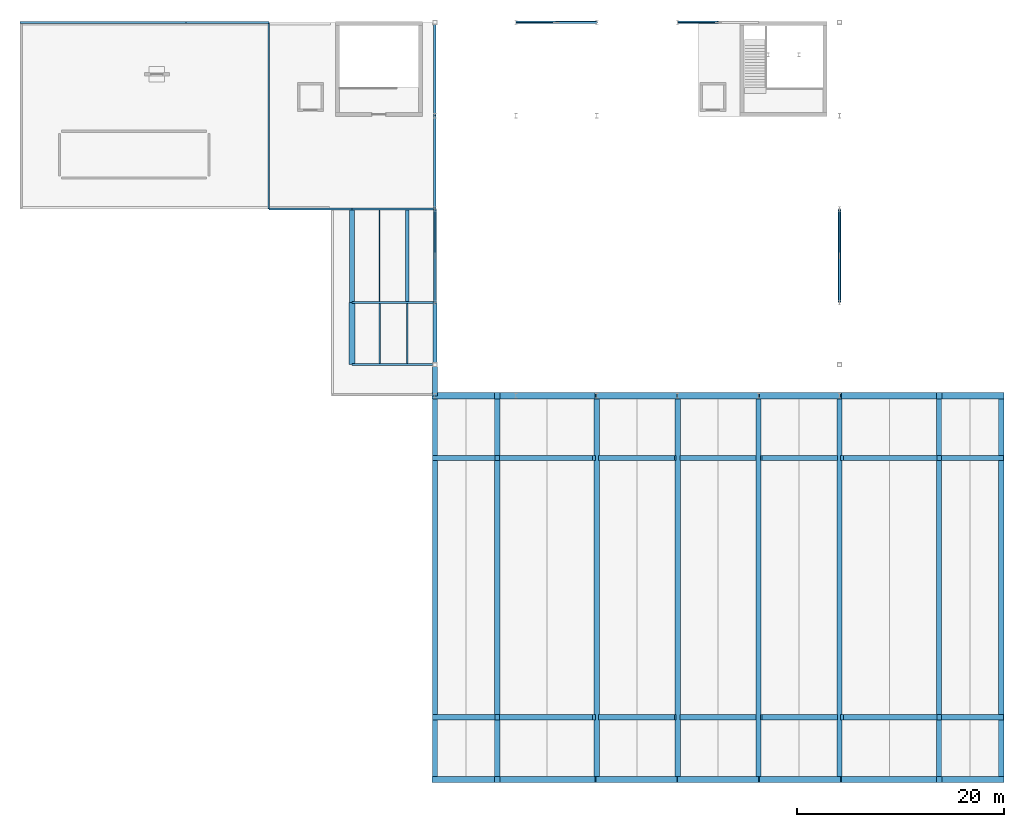
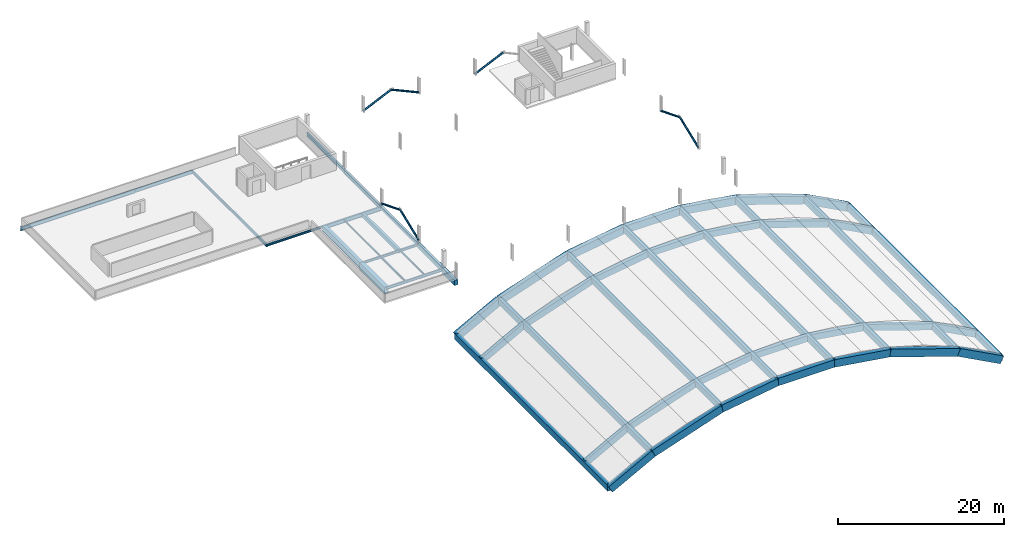
# One storey, part 5 of 12: 54 beams, 7 members.
"""IFC4 building model written with IfcOpenShell, lengths in metres."""

from ifc_helpers import new_model, si_unit, derived_unit, direction, frame, origin, origin_2d, place, context, subcontext, project, spatial, rectangle, hollow_circle, i_section, extrude, material, material_profile, profile_set, type_object, element, save


model = new_model("IFC4")

# Units and contexts
model_context = context("Model", 3, precision=1e-05, world=origin(), true_north=direction((0.0, 1.0)))
body_context = subcontext(model_context, "Body", "Model", "MODEL_VIEW")
ifc_project = project(units=[si_unit("LENGTHUNIT", "METRE"), si_unit("AREAUNIT", "SQUARE_METRE"), si_unit("VOLUMEUNIT", "CUBIC_METRE"), si_unit("PLANEANGLEUNIT", "RADIAN"), si_unit("MASSUNIT", "GRAM", prefix="KILO"), derived_unit("THERMALTRANSMITTANCEUNIT", [(si_unit("POWERUNIT", "WATT"), 1), (si_unit("LENGTHUNIT", "METRE"), -2), (si_unit("THERMODYNAMICTEMPERATUREUNIT", "KELVIN"), -1)])], contexts=[model_context])

# Site, building, storey
site_placement = place(None, origin())
site = spatial("IfcSite", under=ifc_project, at=site_placement, CompositionType="ELEMENT")
building_placement = place(site_placement, origin())
building = spatial("IfcBuilding", under=site, at=building_placement, Name="Nallur Shell Playhouse", CompositionType="ELEMENT")
storey_placement = place(building_placement, frame((0.0, 0.0, 28.800048828125)))
storey = spatial("IfcBuildingStorey", under=building, at=storey_placement, Name="RF1", CompositionType="ELEMENT", Elevation=28.800048828125)

# Beams
ifc_material_1 = material(Name="Steel E250", Category="steel")
ifc_material_profile_1 = material_profile(ifc_material_1, i_section(OverallWidth=0.110107421875, OverallDepth=0.22509765625, WebThickness=0.006591796875, FlangeThickness=0.01171875, FilletRadius=0.011962890625, at=origin_2d()), Name="ISMB 225")
ifc_profile_set_1 = profile_set([ifc_material_profile_1], Name="Steel E250")
beam_type_1 = type_object("IfcBeamType", Name="BM-JST-ISMB225", PredefinedType="JOIST", material=ifc_profile_set_1)
beam_1_placement = place(storey_placement, frame((58.666748046875, 56.097900390625, -0.33251953125), z_axis=(0.0, 1.0, 0.0), x_axis=(-1.0, 0.0, 0.0)))
element("IfcBeam", 1, at=beam_1_placement, inside=storey, type_object=beam_type_1, Name="RF1 secondary joist 7-G-1253", PredefinedType="JOIST", context=body_context, shape_type="SweptSolid", body=[
    extrude(i_section(OverallWidth=0.110107421875, OverallDepth=0.22509765625, WebThickness=0.006591796875, FlangeThickness=0.01171875, FilletRadius=0.011962890625, at=origin_2d()), origin(), (0.0, 0.0, 1.0), 8.799072265625),
])
ifc_material_profile_2 = material_profile(ifc_material_1, i_section(OverallWidth=0.125, OverallDepth=0.25, WebThickness=0.0068359375, FlangeThickness=0.012451171875, FilletRadius=0.012939453125, at=origin_2d()), Name="ISMB 250")
ifc_profile_set_2 = profile_set([ifc_material_profile_2], Name="Steel E250")
beam_type_2 = type_object("IfcBeamType", Name="BM-JST-ISMB250", PredefinedType="JOIST", material=ifc_profile_set_2)
beam_2_placement = place(storey_placement, frame((61.333251953125, 50.097900390625, -0.344970703125), z_axis=(0.0, 1.0, 0.0), x_axis=(-1.0, 0.0, 0.0)))
element("IfcBeam", 2, at=beam_2_placement, inside=storey, type_object=beam_type_2, Name="RF1 secondary joist 7-F-1252", PredefinedType="JOIST", context=body_context, shape_type="SweptSolid", body=[
    extrude(i_section(OverallWidth=0.125, OverallDepth=0.25, WebThickness=0.0068359375, FlangeThickness=0.012451171875, FilletRadius=0.012939453125, at=origin_2d()), origin(), (0.0, 0.0, 1.0), 5.80419921875),
])
ifc_material_profile_3 = material_profile(ifc_material_1, i_section(OverallWidth=0.139892578125, OverallDepth=0.300048828125, WebThickness=0.0078125, FlangeThickness=0.01318359375, FilletRadius=0.013916015625, at=origin_2d()), Name="ISMB 300")
ifc_profile_set_3 = profile_set([ifc_material_profile_3], Name="Steel E250")
beam_type_3 = type_object("IfcBeamType", Name="BM-JST-ISMB300", PredefinedType="JOIST", material=ifc_profile_set_3)
beam_3_placement = place(storey_placement, frame((58.666748046875, 50.097900390625, -0.3701171875), z_axis=(0.0, 1.0, 0.0), x_axis=(-1.0, 0.0, 0.0)))
element("IfcBeam", 3, at=beam_3_placement, inside=storey, type_object=beam_type_3, Name="RF1 secondary joist 7-F-1251", PredefinedType="JOIST", context=body_context, shape_type="SweptSolid", body=[
    extrude(i_section(OverallWidth=0.139892578125, OverallDepth=0.300048828125, WebThickness=0.0078125, FlangeThickness=0.01318359375, FilletRadius=0.013916015625, at=origin_2d()), origin(), (0.0, 0.0, 1.0), 5.80419921875),
])
ifc_material_2 = material(Name="Concrete M30", Category="concrete")
ifc_material_profile_4 = material_profile(ifc_material_2, rectangle(XDim=0.35009765625, YDim=0.60009765625, at=origin_2d()), Name="RC 350x600")
ifc_profile_set_4 = profile_set([ifc_material_profile_4], Name="Concrete M30")
beam_type_4 = type_object("IfcBeamType", Name="BM-RC-350x600", PredefinedType="JOIST", material=ifc_profile_set_4)
beam_4_placement = place(storey_placement, frame((61.333251953125, 56.097900390625, -0.52001953125), z_axis=(0.0, 1.0, 0.0), x_axis=(-1.0, 0.0, 0.0)))
element("IfcBeam", 4, at=beam_4_placement, inside=storey, type_object=beam_type_4, Name="RF1 secondary joist 7-G-1254", PredefinedType="JOIST", context=body_context, shape_type="SweptSolid", body=[
    extrude(rectangle(XDim=0.35009765625, YDim=0.60009765625, at=origin_2d()), origin(), (0.0, 0.0, 1.0), 8.799072265625),
])
ifc_material_3 = material(Name="Concrete M35", Category="concrete")
ifc_material_profile_5 = material_profile(ifc_material_3, rectangle(XDim=0.39990234375, YDim=0.64990234375, at=origin_2d()), Name="RC 400x650")
ifc_profile_set_5 = profile_set([ifc_material_profile_5], Name="Concrete M35")
beam_type_5 = type_object("IfcBeamType", Name="BM-RC-400x650", PredefinedType="BEAM", material=ifc_profile_set_5)
beam_5_placement = place(storey_placement, frame((64.0, 50.0, -0.545166015625), z_axis=(0.0, 1.0, 0.0), x_axis=(-1.0, 0.0, 0.0)))
element("IfcBeam", 5, at=beam_5_placement, inside=storey, type_object=beam_type_5, Name="RF1 girder Y-8-1247", PredefinedType="BEAM", context=body_context, shape_type="SweptSolid", body=[
    extrude(rectangle(XDim=0.39990234375, YDim=0.64990234375, at=origin_2d()), origin(), (0.0, 0.0, 1.0), 6.0),
])
ifc_material_profile_6 = material_profile(ifc_material_3, rectangle(XDim=0.449951171875, YDim=0.75, at=origin_2d()), Name="RC 450x750")
ifc_profile_set_6 = profile_set([ifc_material_profile_6], Name="Concrete M35")
beam_type_6 = type_object("IfcBeamType", Name="BM-RC-450x750", PredefinedType="BEAM", material=ifc_profile_set_6)
beam_6_placement = place(storey_placement, frame((64.0, 47.0, -0.594970703125), z_axis=(0.0, 1.0, 0.0), x_axis=(-1.0, 0.0, 0.0)))
element("IfcBeam", 6, at=beam_6_placement, inside=storey, type_object=beam_type_6, Name="RF1 girder Y-8-1246", PredefinedType="BEAM", context=body_context, shape_type="SweptSolid", body=[
    extrude(rectangle(XDim=0.449951171875, YDim=0.75, at=origin_2d()), origin(), (0.0, 0.0, 1.0), 3.0),
])
ifc_material_4 = material(Name="Concrete M40", Category="concrete")
ifc_material_profile_7 = material_profile(ifc_material_4, rectangle(XDim=0.5, YDim=0.85009765625, at=origin_2d()), Name="RC 500x850")
ifc_profile_set_7 = profile_set([ifc_material_profile_7], Name="Concrete M40")
beam_type_7 = type_object("IfcBeamType", Name="BM-RC-500x850", PredefinedType="BEAM", material=ifc_profile_set_7)
beam_7_placement = place(storey_placement, frame((56.0, 56.0, -0.64501953125), z_axis=(0.0, 1.0, 0.0), x_axis=(-1.0, 0.0, 0.0)))
element("IfcBeam", 7, at=beam_7_placement, inside=storey, type_object=beam_type_7, Name="RF1 girder Y-7-1245", PredefinedType="BEAM", context=body_context, shape_type="SweptSolid", body=[
    extrude(rectangle(XDim=0.5, YDim=0.85009765625, at=origin_2d()), origin(), (0.0, 0.0, 1.0), 9.0),
])
ifc_material_profile_8 = material_profile(ifc_material_4, rectangle(XDim=0.60009765625, YDim=1.0, at=origin_2d()), Name="RC 600x1000")
ifc_profile_set_8 = profile_set([ifc_material_profile_8], Name="Concrete M40")
beam_type_8 = type_object("IfcBeamType", Name="BM-RC-600x1000", PredefinedType="BEAM", material=ifc_profile_set_8)
beam_8_placement = place(storey_placement, frame((56.0, 50.0, -0.719970703125), z_axis=(0.0, 1.0, 0.0), x_axis=(-1.0, 0.0, 0.0)))
element("IfcBeam", 8, at=beam_8_placement, inside=storey, type_object=beam_type_8, Name="RF1 girder Y-7-1244", PredefinedType="BEAM", context=body_context, shape_type="SweptSolid", body=[
    extrude(rectangle(XDim=0.60009765625, YDim=1.0, at=origin_2d()), origin(), (0.0, 0.0, 1.0), 6.0),
])
ifc_material_profile_9 = material_profile(ifc_material_4, rectangle(XDim=0.5, YDim=0.89990234375, at=origin_2d()), Name="RC 500x900")
ifc_profile_set_9 = profile_set([ifc_material_profile_9], Name="Concrete M40")
beam_type_9 = type_object("IfcBeamType", Name="BM-SH-ARCH", PredefinedType="BEAM", material=ifc_profile_set_9)
beam_9_placement = place(storey_placement, frame((64.0, 16.0, -8.400146484375), z_axis=(0.88198310978, 0.0, 0.471281013901), x_axis=(0.0, 1.0, 0.0)))
element("IfcBeam", 9, at=beam_9_placement, inside=storey, type_object=beam_type_9, Name="Main Theatre shell roof edge beam EB-SH1 S2-1", PredefinedType="BEAM", context=body_context, shape_type="SweptSolid", body=[
    extrude(rectangle(XDim=0.5, YDim=0.89990234375, at=origin_2d()), origin(), (0.0, 0.0, 1.0), 6.802734375),
])
beam_10_placement = place(storey_placement, frame((70.248046875, 16.0, -5.110107421875), z_axis=(0.947132874217, 0.0, 0.32084157863), x_axis=(0.0, 1.0, 0.0)))
element("IfcBeam", 10, at=beam_10_placement, inside=storey, type_object=beam_type_9, Name="Main Theatre shell roof edge beam EB-SH1 S2-2", PredefinedType="BEAM", context=body_context, shape_type="SweptSolid", body=[
    extrude(rectangle(XDim=0.5, YDim=0.89990234375, at=origin_2d()), origin(), (0.0, 0.0, 1.0), 9.612060546875),
])
beam_11_placement = place(storey_placement, frame((79.847900390625, 16.0, -1.904052734375), z_axis=(0.988474599285, 0.0, 0.151386811081), x_axis=(0.0, 1.0, 0.0)))
element("IfcBeam", 11, at=beam_11_placement, inside=storey, type_object=beam_type_9, Name="Main Theatre shell roof edge beam EB-SH1 S2-3", PredefinedType="BEAM", context=body_context, shape_type="SweptSolid", body=[
    extrude(rectangle(XDim=0.5, YDim=0.89990234375, at=origin_2d()), origin(), (0.0, 0.0, 1.0), 7.389404296875),
])
beam_12_placement = place(storey_placement, frame((87.64794921875, 16.0, -0.74755859375), z_axis=(1.0, 0.0, 0.0), x_axis=(0.0, 1.0, 0.0)))
element("IfcBeam", 12, at=beam_12_placement, inside=storey, type_object=beam_type_9, Name="Main Theatre shell roof edge beam EB-SH1 S2-4", PredefinedType="BEAM", context=body_context, shape_type="SweptSolid", body=[
    extrude(rectangle(XDim=0.5, YDim=0.89990234375, at=origin_2d()), origin(), (0.0, 0.0, 1.0), 7.303955078125),
])
beam_13_placement = place(storey_placement, frame((95.447998046875, 16.0, -0.785400390625), z_axis=(0.98847384205, 0.0, -0.151391755332), x_axis=(0.0, 1.0, 0.0)))
element("IfcBeam", 13, at=beam_13_placement, inside=storey, type_object=beam_type_9, Name="Main Theatre shell roof edge beam EB-SH1 S2-5", PredefinedType="BEAM", context=body_context, shape_type="SweptSolid", body=[
    extrude(rectangle(XDim=0.5, YDim=0.89990234375, at=origin_2d()), origin(), (0.0, 0.0, 1.0), 7.38916015625),
])
beam_14_placement = place(storey_placement, frame((103.248046875, 16.0, -2.026123046875), z_axis=(0.947132874217, 0.0, -0.32084157863), x_axis=(0.0, 1.0, 0.0)))
element("IfcBeam", 14, at=beam_14_placement, inside=storey, type_object=beam_type_9, Name="Main Theatre shell roof edge beam EB-SH1 S2-6", PredefinedType="BEAM", context=body_context, shape_type="SweptSolid", body=[
    extrude(rectangle(XDim=0.5, YDim=0.89990234375, at=origin_2d()), origin(), (0.0, 0.0, 1.0), 9.612060546875),
])
for number, where, z_axis, x_axis, name in (
    (15, (112.60009765625, 16.0, -5.194091796875), (0.88198310978, 0.0, -0.471281013901), (0.0, 1.0, 0.0), "Main Theatre shell roof edge beam EB-SH1 S2-7"),
    (16, (64.0, 41.0, -8.400146484375), (0.88198310978, 0.0, 0.471281013901), (0.0, 1.0, 0.0), "Main Theatre shell roof edge beam EB-SH1 N2-1"),
):
    element("IfcBeam", number, at=place(storey_placement, frame(where, z_axis=z_axis, x_axis=x_axis)), inside=storey, type_object=beam_type_9, Name=name, PredefinedType="BEAM", context=body_context, shape_type="SweptSolid", body=[
        extrude(rectangle(XDim=0.5, YDim=0.89990234375, at=origin_2d()), origin(), (0.0, 0.0, 1.0), 6.802734375),
    ])
beam_15_placement = place(storey_placement, frame((70.248046875, 41.0, -5.110107421875), z_axis=(0.947132874217, 0.0, 0.32084157863), x_axis=(0.0, 1.0, 0.0)))
element("IfcBeam", 17, at=beam_15_placement, inside=storey, type_object=beam_type_9, Name="Main Theatre shell roof edge beam EB-SH1 N2-2", PredefinedType="BEAM", context=body_context, shape_type="SweptSolid", body=[
    extrude(rectangle(XDim=0.5, YDim=0.89990234375, at=origin_2d()), origin(), (0.0, 0.0, 1.0), 9.612060546875),
])
beam_16_placement = place(storey_placement, frame((79.847900390625, 41.0, -1.904052734375), z_axis=(0.988474599285, 0.0, 0.151386811081), x_axis=(0.0, 1.0, 0.0)))
element("IfcBeam", 18, at=beam_16_placement, inside=storey, type_object=beam_type_9, Name="Main Theatre shell roof edge beam EB-SH1 N2-3", PredefinedType="BEAM", context=body_context, shape_type="SweptSolid", body=[
    extrude(rectangle(XDim=0.5, YDim=0.89990234375, at=origin_2d()), origin(), (0.0, 0.0, 1.0), 7.389404296875),
])
beam_17_placement = place(storey_placement, frame((87.64794921875, 41.0, -0.74755859375), z_axis=(1.0, 0.0, 0.0), x_axis=(0.0, 1.0, 0.0)))
element("IfcBeam", 19, at=beam_17_placement, inside=storey, type_object=beam_type_9, Name="Main Theatre shell roof edge beam EB-SH1 N2-4", PredefinedType="BEAM", context=body_context, shape_type="SweptSolid", body=[
    extrude(rectangle(XDim=0.5, YDim=0.89990234375, at=origin_2d()), origin(), (0.0, 0.0, 1.0), 7.303955078125),
])
beam_18_placement = place(storey_placement, frame((95.447998046875, 41.0, -0.785400390625), z_axis=(0.98847384205, 0.0, -0.151391755332), x_axis=(0.0, 1.0, 0.0)))
element("IfcBeam", 20, at=beam_18_placement, inside=storey, type_object=beam_type_9, Name="Main Theatre shell roof edge beam EB-SH1 N2-5", PredefinedType="BEAM", context=body_context, shape_type="SweptSolid", body=[
    extrude(rectangle(XDim=0.5, YDim=0.89990234375, at=origin_2d()), origin(), (0.0, 0.0, 1.0), 7.38916015625),
])
beam_19_placement = place(storey_placement, frame((103.248046875, 41.0, -2.026123046875), z_axis=(0.947132874217, 0.0, -0.32084157863), x_axis=(0.0, 1.0, 0.0)))
element("IfcBeam", 21, at=beam_19_placement, inside=storey, type_object=beam_type_9, Name="Main Theatre shell roof edge beam EB-SH1 N2-6", PredefinedType="BEAM", context=body_context, shape_type="SweptSolid", body=[
    extrude(rectangle(XDim=0.5, YDim=0.89990234375, at=origin_2d()), origin(), (0.0, 0.0, 1.0), 9.612060546875),
])
beam_20_placement = place(storey_placement, frame((112.60009765625, 41.0, -5.194091796875), z_axis=(0.88198310978, 0.0, -0.471281013901), x_axis=(0.0, 1.0, 0.0)))
element("IfcBeam", 22, at=beam_20_placement, inside=storey, type_object=beam_type_9, Name="Main Theatre shell roof edge beam EB-SH1 N2-7", PredefinedType="BEAM", context=body_context, shape_type="SweptSolid", body=[
    extrude(rectangle(XDim=0.5, YDim=0.89990234375, at=origin_2d()), origin(), (0.0, 0.0, 1.0), 6.802734375),
])
for number, where, z_axis, x_axis, name in (
    (23, (64.0, 10.0, -8.400146484375), (0.0, 1.0, 0.0), (-1.0, 0.0, 0.0), "Main Theatre shell roof diaphragm rib DT-SH1 1"),
    (24, (70.0, 10.0, -5.194091796875), (0.0, 1.0, 0.0), (-1.0, 0.0, 0.0), "Main Theatre shell roof diaphragm rib DT-SH1 2"),
    (25, (79.60009765625, 10.0, -1.94189453125), (0.0, 1.0, 0.0), (-1.0, 0.0, 0.0), "Main Theatre shell roof diaphragm rib DT-SH1 3"),
    (26, (87.39990234375, 10.0, -0.747314453125), (0.0, 1.0, 0.0), (-1.0, 0.0, 0.0), "Main Theatre shell roof diaphragm rib DT-SH1 4"),
    (27, (95.199951171875, 10.0, -0.747314453125), (0.0, 1.0, 0.0), (-1.0, 0.0, 0.0), "Main Theatre shell roof diaphragm rib DT-SH1 5"),
    (28, (103.0, 10.0, -1.94189453125), (0.0, 1.0, 0.0), (-1.0, 0.0, 0.0), "Main Theatre shell roof diaphragm rib DT-SH1 6"),
    (29, (112.60009765625, 10.0, -5.194091796875), (0.0, 1.0, 0.0), (-1.0, 0.0, 0.0), "Main Theatre shell roof diaphragm rib DT-SH1 7"),
    (30, (118.60009765625, 10.0, -8.400146484375), (0.0, 1.0, 0.0), (-1.0, 0.0, 0.0), "Main Theatre shell roof diaphragm rib DT-SH1 8"),
):
    element("IfcBeam", number, at=place(storey_placement, frame(where, z_axis=z_axis, x_axis=x_axis)), inside=storey, type_object=beam_type_9, Name=name, PredefinedType="BEAM", context=body_context, shape_type="SweptSolid", body=[
        extrude(rectangle(XDim=0.5, YDim=0.89990234375, at=origin_2d()), origin(), (0.0, 0.0, 1.0), 37.0),
    ])
ifc_material_profile_10 = material_profile(ifc_material_4, rectangle(XDim=0.60009765625, YDim=1.10009765625, at=origin_2d()), Name="RC 600x1100")
ifc_profile_set_10 = profile_set([ifc_material_profile_10], Name="Concrete M40")
beam_type_10 = type_object("IfcBeamType", Name="BM-SH-EDGE", PredefinedType="SPANDREL", material=ifc_profile_set_10)
beam_21_placement = place(storey_placement, frame((64.0, 10.0, -8.5), z_axis=(0.881998026858, 0.0, 0.471253096137), x_axis=(0.0, 1.0, 0.0)))
element("IfcBeam", 31, at=beam_21_placement, inside=storey, type_object=beam_type_10, Name="Main Theatre shell roof edge beam EB-SH1 S1-1", PredefinedType="SPANDREL", context=body_context, shape_type="SweptSolid", body=[
    extrude(rectangle(XDim=0.60009765625, YDim=1.10009765625, at=origin_2d()), origin(), (0.0, 0.0, 1.0), 6.802734375),
])
beam_22_placement = place(storey_placement, frame((70.0, 10.0, -5.294189453125), z_axis=(0.947128048301, 0.0, 0.320855824511), x_axis=(0.0, 1.0, 0.0)))
element("IfcBeam", 32, at=beam_22_placement, inside=storey, type_object=beam_type_10, Name="Main Theatre shell roof edge beam EB-SH1 S1-2", PredefinedType="SPANDREL", context=body_context, shape_type="SweptSolid", body=[
    extrude(rectangle(XDim=0.60009765625, YDim=1.10009765625, at=origin_2d()), origin(), (0.0, 0.0, 1.0), 10.135986328125),
])
beam_23_placement = place(storey_placement, frame((79.60009765625, 10.0, -2.0419921875), z_axis=(0.988474129136, 0.0, 0.151389880865), x_axis=(0.0, 1.0, 0.0)))
element("IfcBeam", 33, at=beam_23_placement, inside=storey, type_object=beam_type_10, Name="Main Theatre shell roof edge beam EB-SH1 S1-3", PredefinedType="SPANDREL", context=body_context, shape_type="SweptSolid", body=[
    extrude(rectangle(XDim=0.60009765625, YDim=1.10009765625, at=origin_2d()), origin(), (0.0, 0.0, 1.0), 7.890869140625),
])
beam_24_placement = place(storey_placement, frame((87.39990234375, 10.0, -0.847412109375), z_axis=(1.0, 0.0, 0.0), x_axis=(0.0, 1.0, 0.0)))
element("IfcBeam", 34, at=beam_24_placement, inside=storey, type_object=beam_type_10, Name="Main Theatre shell roof edge beam EB-SH1 S1-4", PredefinedType="SPANDREL", context=body_context, shape_type="SweptSolid", body=[
    extrude(rectangle(XDim=0.60009765625, YDim=1.10009765625, at=origin_2d()), origin(), (0.0, 0.0, 1.0), 7.800048828125),
])
beam_25_placement = place(storey_placement, frame((95.199951171875, 10.0, -0.847412109375), z_axis=(0.988474838217, 0.0, -0.151385250975), x_axis=(0.0, 1.0, 0.0)))
element("IfcBeam", 35, at=beam_25_placement, inside=storey, type_object=beam_type_10, Name="Main Theatre shell roof edge beam EB-SH1 S1-5", PredefinedType="SPANDREL", context=body_context, shape_type="SweptSolid", body=[
    extrude(rectangle(XDim=0.60009765625, YDim=1.10009765625, at=origin_2d()), origin(), (0.0, 0.0, 1.0), 7.89111328125),
])
beam_26_placement = place(storey_placement, frame((103.0, 10.0, -2.0419921875), z_axis=(0.947128048301, 0.0, -0.320855824511), x_axis=(0.0, 1.0, 0.0)))
element("IfcBeam", 36, at=beam_26_placement, inside=storey, type_object=beam_type_10, Name="Main Theatre shell roof edge beam EB-SH1 S1-6", PredefinedType="SPANDREL", context=body_context, shape_type="SweptSolid", body=[
    extrude(rectangle(XDim=0.60009765625, YDim=1.10009765625, at=origin_2d()), origin(), (0.0, 0.0, 1.0), 10.135986328125),
])
for number, where, z_axis, x_axis, name in (
    (37, (112.60009765625, 10.0, -5.294189453125), (0.881998026858, 0.0, -0.471253096137), (0.0, 1.0, 0.0), "Main Theatre shell roof edge beam EB-SH1 S1-7"),
    (38, (64.0, 47.0, -8.5), (0.881998026858, 0.0, 0.471253096137), (0.0, 1.0, 0.0), "Main Theatre shell roof edge beam EB-SH1 N1-1"),
):
    element("IfcBeam", number, at=place(storey_placement, frame(where, z_axis=z_axis, x_axis=x_axis)), inside=storey, type_object=beam_type_10, Name=name, PredefinedType="SPANDREL", context=body_context, shape_type="SweptSolid", body=[
        extrude(rectangle(XDim=0.60009765625, YDim=1.10009765625, at=origin_2d()), origin(), (0.0, 0.0, 1.0), 6.802734375),
    ])
beam_27_placement = place(storey_placement, frame((70.0, 47.0, -5.294189453125), z_axis=(0.947128048301, 0.0, 0.320855824511), x_axis=(0.0, 1.0, 0.0)))
element("IfcBeam", 39, at=beam_27_placement, inside=storey, type_object=beam_type_10, Name="Main Theatre shell roof edge beam EB-SH1 N1-2", PredefinedType="SPANDREL", context=body_context, shape_type="SweptSolid", body=[
    extrude(rectangle(XDim=0.60009765625, YDim=1.10009765625, at=origin_2d()), origin(), (0.0, 0.0, 1.0), 10.135986328125),
])
beam_28_placement = place(storey_placement, frame((79.60009765625, 47.0, -2.0419921875), z_axis=(0.988474129136, 0.0, 0.151389880865), x_axis=(0.0, 1.0, 0.0)))
element("IfcBeam", 40, at=beam_28_placement, inside=storey, type_object=beam_type_10, Name="Main Theatre shell roof edge beam EB-SH1 N1-3", PredefinedType="SPANDREL", context=body_context, shape_type="SweptSolid", body=[
    extrude(rectangle(XDim=0.60009765625, YDim=1.10009765625, at=origin_2d()), origin(), (0.0, 0.0, 1.0), 7.890869140625),
])
beam_29_placement = place(storey_placement, frame((87.39990234375, 47.0, -0.847412109375), z_axis=(1.0, 0.0, 0.0), x_axis=(0.0, 1.0, 0.0)))
element("IfcBeam", 41, at=beam_29_placement, inside=storey, type_object=beam_type_10, Name="Main Theatre shell roof edge beam EB-SH1 N1-4", PredefinedType="SPANDREL", context=body_context, shape_type="SweptSolid", body=[
    extrude(rectangle(XDim=0.60009765625, YDim=1.10009765625, at=origin_2d()), origin(), (0.0, 0.0, 1.0), 7.800048828125),
])
beam_30_placement = place(storey_placement, frame((95.199951171875, 47.0, -0.847412109375), z_axis=(0.988474838217, 0.0, -0.151385250975), x_axis=(0.0, 1.0, 0.0)))
element("IfcBeam", 42, at=beam_30_placement, inside=storey, type_object=beam_type_10, Name="Main Theatre shell roof edge beam EB-SH1 N1-5", PredefinedType="SPANDREL", context=body_context, shape_type="SweptSolid", body=[
    extrude(rectangle(XDim=0.60009765625, YDim=1.10009765625, at=origin_2d()), origin(), (0.0, 0.0, 1.0), 7.89111328125),
])
beam_31_placement = place(storey_placement, frame((103.0, 47.0, -2.0419921875), z_axis=(0.947128048301, 0.0, -0.320855824511), x_axis=(0.0, 1.0, 0.0)))
element("IfcBeam", 43, at=beam_31_placement, inside=storey, type_object=beam_type_10, Name="Main Theatre shell roof edge beam EB-SH1 N1-6", PredefinedType="SPANDREL", context=body_context, shape_type="SweptSolid", body=[
    extrude(rectangle(XDim=0.60009765625, YDim=1.10009765625, at=origin_2d()), origin(), (0.0, 0.0, 1.0), 10.135986328125),
])
beam_32_placement = place(storey_placement, frame((112.60009765625, 47.0, -5.294189453125), z_axis=(0.881998026858, 0.0, -0.471253096137), x_axis=(0.0, 1.0, 0.0)))
element("IfcBeam", 44, at=beam_32_placement, inside=storey, type_object=beam_type_10, Name="Main Theatre shell roof edge beam EB-SH1 N1-7", PredefinedType="SPANDREL", context=body_context, shape_type="SweptSolid", body=[
    extrude(rectangle(XDim=0.60009765625, YDim=1.10009765625, at=origin_2d()), origin(), (0.0, 0.0, 1.0), 6.802734375),
])
ifc_material_profile_11 = material_profile(ifc_material_3, rectangle(XDim=0.300048828125, YDim=0.449951171875, at=origin_2d()), Name="RC 300x450")
ifc_profile_set_11 = profile_set([ifc_material_profile_11], Name="Concrete M35")
beam_type_11 = type_object("IfcBeamType", Name="BM-SPN-300x450", PredefinedType="SPANDREL", material=ifc_profile_set_11)
beam_33_placement = place(storey_placement, frame((64.0, 56.0, -0.445068359375), z_axis=(0.0, 1.0, 0.0), x_axis=(-1.0, 0.0, 0.0)))
element("IfcBeam", 45, at=beam_33_placement, inside=storey, type_object=beam_type_11, Name="RF1 girder Y-8-1248", PredefinedType="SPANDREL", context=body_context, shape_type="SweptSolid", body=[
    extrude(rectangle(XDim=0.300048828125, YDim=0.449951171875, at=origin_2d()), origin(), (0.0, 0.0, 1.0), 9.0),
])
ifc_material_5 = material(Name="Steel E350", Category="steel")
ifc_material_profile_12 = material_profile(ifc_material_5, i_section(OverallWidth=0.14990234375, OverallDepth=0.449951171875, WebThickness=0.009521484375, FlangeThickness=0.017333984375, FilletRadius=0.014892578125, at=origin_2d()), Name="ISMB 450")
ifc_profile_set_12 = profile_set([ifc_material_profile_12], Name="Steel E350")
beam_type_12 = type_object("IfcBeamType", Name="BM-ST-ISMB450", PredefinedType="BEAM", material=ifc_profile_set_12)
beam_34_placement = place(storey_placement, frame((48.0, 65.0, -0.445068359375), z_axis=(0.0, 1.0, 0.0), x_axis=(-1.0, 0.0, 0.0)))
element("IfcBeam", 46, at=beam_34_placement, inside=storey, type_object=beam_type_12, Name="RF1 girder Y-6-1243", PredefinedType="BEAM", context=body_context, shape_type="SweptSolid", body=[
    extrude(i_section(OverallWidth=0.14990234375, OverallDepth=0.449951171875, WebThickness=0.009521484375, FlangeThickness=0.017333984375, FilletRadius=0.014892578125, at=origin_2d()), origin(), (0.0, 0.0, 1.0), 18.0),
])
ifc_material_profile_13 = material_profile(ifc_material_5, i_section(OverallWidth=0.179931640625, OverallDepth=0.5, WebThickness=0.01025390625, FlangeThickness=0.01708984375, FilletRadius=0.01708984375, at=origin_2d()), Name="ISMB 500")
ifc_profile_set_13 = profile_set([ifc_material_profile_13], Name="Steel E350")
beam_type_13 = type_object("IfcBeamType", Name="BM-ST-ISMB500", PredefinedType="BEAM", material=ifc_profile_set_13)
beam_35_placement = place(storey_placement, frame((40.0, 83.0, -0.469970703125), z_axis=(1.0, 0.0, 0.0), x_axis=(0.0, 1.0, 0.0)))
element("IfcBeam", 47, at=beam_35_placement, inside=storey, type_object=beam_type_13, Name="RF1 girder X-K-1242", PredefinedType="BEAM", context=body_context, shape_type="SweptSolid", body=[
    extrude(i_section(OverallWidth=0.179931640625, OverallDepth=0.5, WebThickness=0.01025390625, FlangeThickness=0.01708984375, FilletRadius=0.01708984375, at=origin_2d()), origin(), (0.0, 0.0, 1.0), 8.0),
])
ifc_material_profile_14 = material_profile(ifc_material_5, i_section(OverallWidth=0.18994140625, OverallDepth=0.550048828125, WebThickness=0.01123046875, FlangeThickness=0.019287109375, FilletRadius=0.01806640625, at=origin_2d()), Name="ISMB 550")
ifc_profile_set_14 = profile_set([ifc_material_profile_14], Name="Steel E350")
beam_type_14 = type_object("IfcBeamType", Name="BM-ST-ISMB550", PredefinedType="BEAM", material=ifc_profile_set_14)
beam_36_placement = place(storey_placement, frame((24.0, 83.0, -0.4951171875), z_axis=(1.0, 0.0, 0.0), x_axis=(0.0, 1.0, 0.0)))
element("IfcBeam", 48, at=beam_36_placement, inside=storey, type_object=beam_type_14, Name="RF1 girder X-K-1241", PredefinedType="BEAM", context=body_context, shape_type="SweptSolid", body=[
    extrude(i_section(OverallWidth=0.18994140625, OverallDepth=0.550048828125, WebThickness=0.01123046875, FlangeThickness=0.019287109375, FilletRadius=0.01806640625, at=origin_2d()), origin(), (0.0, 0.0, 1.0), 16.0),
])
ifc_material_profile_15 = material_profile(ifc_material_5, i_section(OverallWidth=0.2099609375, OverallDepth=0.60009765625, WebThickness=0.011962890625, FlangeThickness=0.020751953125, FilletRadius=0.02001953125, at=origin_2d()), Name="ISMB 600")
ifc_profile_set_15 = profile_set([ifc_material_profile_15], Name="Steel E350")
beam_type_15 = type_object("IfcBeamType", Name="BM-ST-ISMB600", PredefinedType="BEAM", material=ifc_profile_set_15)
beam_37_placement = place(storey_placement, frame((56.0, 65.0, -0.52001953125), z_axis=(1.0, 0.0, 0.0), x_axis=(0.0, 1.0, 0.0)))
element("IfcBeam", 49, at=beam_37_placement, inside=storey, type_object=beam_type_15, Name="RF1 girder X-H-1240", PredefinedType="BEAM", context=body_context, shape_type="SweptSolid", body=[
    extrude(i_section(OverallWidth=0.2099609375, OverallDepth=0.60009765625, WebThickness=0.011962890625, FlangeThickness=0.020751953125, FilletRadius=0.02001953125, at=origin_2d()), origin(), (0.0, 0.0, 1.0), 8.0),
])
ifc_material_profile_16 = material_profile(ifc_material_1, i_section(OverallWidth=0.199951171875, OverallDepth=0.300048828125, WebThickness=0.00732421875, FlangeThickness=0.010009765625, FilletRadius=0.010986328125, at=origin_2d()), Name="ISWB 300")
ifc_profile_set_16 = profile_set([ifc_material_profile_16], Name="Steel E250")
beam_type_16 = type_object("IfcBeamType", Name="BM-ST-ISWB300", PredefinedType="BEAM", material=ifc_profile_set_16)
beam_38_placement = place(storey_placement, frame((48.0, 65.0, -0.3701171875), z_axis=(1.0, 0.0, 0.0), x_axis=(0.0, 1.0, 0.0)))
element("IfcBeam", 50, at=beam_38_placement, inside=storey, type_object=beam_type_16, Name="RF1 girder X-H-1239", PredefinedType="BEAM", context=body_context, shape_type="SweptSolid", body=[
    extrude(i_section(OverallWidth=0.199951171875, OverallDepth=0.300048828125, WebThickness=0.00732421875, FlangeThickness=0.010009765625, FilletRadius=0.010986328125, at=origin_2d()), origin(), (0.0, 0.0, 1.0), 8.0),
])
ifc_material_profile_17 = material_profile(ifc_material_5, i_section(OverallWidth=0.199951171875, OverallDepth=0.35009765625, WebThickness=0.008056640625, FlangeThickness=0.011474609375, FilletRadius=0.011962890625, at=origin_2d()), Name="ISWB 350")
ifc_profile_set_17 = profile_set([ifc_material_profile_17], Name="Steel E350")
beam_type_17 = type_object("IfcBeamType", Name="BM-ST-ISWB350", PredefinedType="BEAM", material=ifc_profile_set_17)
beam_39_placement = place(storey_placement, frame((56.0, 56.0, -0.39501953125), z_axis=(1.0, 0.0, 0.0), x_axis=(0.0, 1.0, 0.0)))
element("IfcBeam", 51, at=beam_39_placement, inside=storey, type_object=beam_type_17, Name="RF1 girder X-G-1238", PredefinedType="BEAM", context=body_context, shape_type="SweptSolid", body=[
    extrude(i_section(OverallWidth=0.199951171875, OverallDepth=0.35009765625, WebThickness=0.008056640625, FlangeThickness=0.011474609375, FilletRadius=0.011962890625, at=origin_2d()), origin(), (0.0, 0.0, 1.0), 8.0),
])
ifc_material_profile_18 = material_profile(ifc_material_5, i_section(OverallWidth=0.199951171875, OverallDepth=0.39990234375, WebThickness=0.008544921875, FlangeThickness=0.012939453125, FilletRadius=0.012939453125, at=origin_2d()), Name="ISWB 400")
ifc_profile_set_18 = profile_set([ifc_material_profile_18], Name="Steel E350")
beam_type_18 = type_object("IfcBeamType", Name="BM-ST-ISWB400", PredefinedType="BEAM", material=ifc_profile_set_18)
beam_40_placement = place(storey_placement, frame((56.0, 50.0, -0.420166015625), z_axis=(1.0, 0.0, 0.0), x_axis=(0.0, 1.0, 0.0)))
element("IfcBeam", 52, at=beam_40_placement, inside=storey, type_object=beam_type_18, Name="RF1 girder X-F-1237", PredefinedType="BEAM", context=body_context, shape_type="SweptSolid", body=[
    extrude(i_section(OverallWidth=0.199951171875, OverallDepth=0.39990234375, WebThickness=0.008544921875, FlangeThickness=0.012939453125, FilletRadius=0.012939453125, at=origin_2d()), origin(), (0.0, 0.0, 1.0), 8.0),
])
ifc_material_profile_19 = material_profile(ifc_material_5, i_section(OverallWidth=0.25, OverallDepth=0.550048828125, WebThickness=0.010498046875, FlangeThickness=0.017578125, FilletRadius=0.01611328125, at=origin_2d()), Name="ISWB 550")
ifc_profile_set_19 = profile_set([ifc_material_profile_19], Name="Steel E350")
beam_type_19 = type_object("IfcBeamType", Name="BM-ST-ISWB550", PredefinedType="BEAM", material=ifc_profile_set_19)
beam_41_placement = place(storey_placement, frame((64.0, 74.0, -0.4951171875), z_axis=(0.0, 1.0, 0.0), x_axis=(-1.0, 0.0, 0.0)))
element("IfcBeam", 53, at=beam_41_placement, inside=storey, type_object=beam_type_19, Name="RF1 girder Y-8-1250", PredefinedType="BEAM", context=body_context, shape_type="SweptSolid", body=[
    extrude(i_section(OverallWidth=0.25, OverallDepth=0.550048828125, WebThickness=0.010498046875, FlangeThickness=0.017578125, FilletRadius=0.01611328125, at=origin_2d()), origin(), (0.0, 0.0, 1.0), 9.0),
])
ifc_material_profile_20 = material_profile(ifc_material_5, i_section(OverallWidth=0.25, OverallDepth=0.60009765625, WebThickness=0.01171875, FlangeThickness=0.023681640625, FilletRadius=0.01708984375, at=origin_2d()), Name="ISWB 600")
ifc_profile_set_20 = profile_set([ifc_material_profile_20], Name="Steel E350")
beam_type_20 = type_object("IfcBeamType", Name="BM-ST-ISWB600", PredefinedType="BEAM", material=ifc_profile_set_20)
beam_42_placement = place(storey_placement, frame((64.0, 65.0, -0.52001953125), z_axis=(0.0, 1.0, 0.0), x_axis=(-1.0, 0.0, 0.0)))
element("IfcBeam", 54, at=beam_42_placement, inside=storey, type_object=beam_type_20, Name="RF1 girder Y-8-1249", PredefinedType="BEAM", context=body_context, shape_type="SweptSolid", body=[
    extrude(i_section(OverallWidth=0.25, OverallDepth=0.60009765625, WebThickness=0.01171875, FlangeThickness=0.023681640625, FilletRadius=0.01708984375, at=origin_2d()), origin(), (0.0, 0.0, 1.0), 9.0),
])

# Members
ifc_material_profile_21 = material_profile(ifc_material_5, hollow_circle(Radius=0.136474609375, WallThickness=0.011962890625, at=origin_2d()), Name="CHS 273.0x12")
ifc_profile_set_21 = profile_set([ifc_material_profile_21], Name="Steel E350")
member_type = type_object("IfcMemberType", Name="MB-FT-BRACE3", PredefinedType="BRACE", material=ifc_profile_set_21)
for number, where, z_axis, x_axis, name in (
    (55, (64.0, 56.0, 0.14990234375), (0.0, 0.929892910811, 0.367830360933), (-1.0, 0.0, 0.0), "Stage fly tower concentric brace BR-FT-RF1-049"),
    (56, (64.0, 65.0, 0.14990234375), (0.0, -0.929892910811, 0.367830360933), (1.0, 0.0, 0.0), "Stage fly tower concentric brace BR-FT-RF1-050"),
    (57, (103.0, 56.0, 0.14990234375), (0.0, 0.929892910811, 0.367830360933), (-1.0, 0.0, 0.0), "Stage fly tower concentric brace BR-FT-RF1-051"),
    (58, (103.0, 65.0, 0.14990234375), (0.0, -0.929892910811, 0.367830360933), (1.0, 0.0, 0.0), "Stage fly tower concentric brace BR-FT-RF1-052"),
):
    element("IfcMember", number, at=place(storey_placement, frame(where, z_axis=z_axis, x_axis=x_axis)), inside=storey, type_object=member_type, Name=name, PredefinedType="BRACE", context=body_context, shape_type="SweptSolid", body=[
        extrude(hollow_circle(Radius=0.136474609375, WallThickness=0.011962890625, at=origin_2d()), origin(), (0.0, 0.0, 1.0), 4.83935546875),
    ])
member_placement = place(storey_placement, frame((71.800048828125, 83.0, 0.14990234375), z_axis=(0.909719805906, 0.0, 0.41522268091), x_axis=(0.0, 1.0, 0.0)))
element("IfcMember", 59, at=member_placement, inside=storey, type_object=member_type, Name="Stage fly tower concentric brace BR-FT-RF1-053", PredefinedType="BRACE", context=body_context, shape_type="SweptSolid", body=[
    extrude(hollow_circle(Radius=0.136474609375, WallThickness=0.011962890625, at=origin_2d()), origin(), (0.0, 0.0, 1.0), 4.286865234375),
])
for number, where, z_axis, x_axis, name in (
    (60, (79.60009765625, 83.0, 0.14990234375), (-0.909729623891, 0.0, 0.415201169815), (0.0, -1.0, 0.0), "Stage fly tower concentric brace BR-FT-RF1-054"),
    (61, (87.39990234375, 83.0, 0.14990234375), (0.909729623891, 0.0, 0.415201169815), (0.0, 1.0, 0.0), "Stage fly tower concentric brace BR-FT-RF1-055"),
):
    element("IfcMember", number, at=place(storey_placement, frame(where, z_axis=z_axis, x_axis=x_axis)), inside=storey, type_object=member_type, Name=name, PredefinedType="BRACE", context=body_context, shape_type="SweptSolid", body=[
        extrude(hollow_circle(Radius=0.136474609375, WallThickness=0.011962890625, at=origin_2d()), origin(), (0.0, 0.0, 1.0), 4.287109375),
    ])

save(model, "model.ifc")
